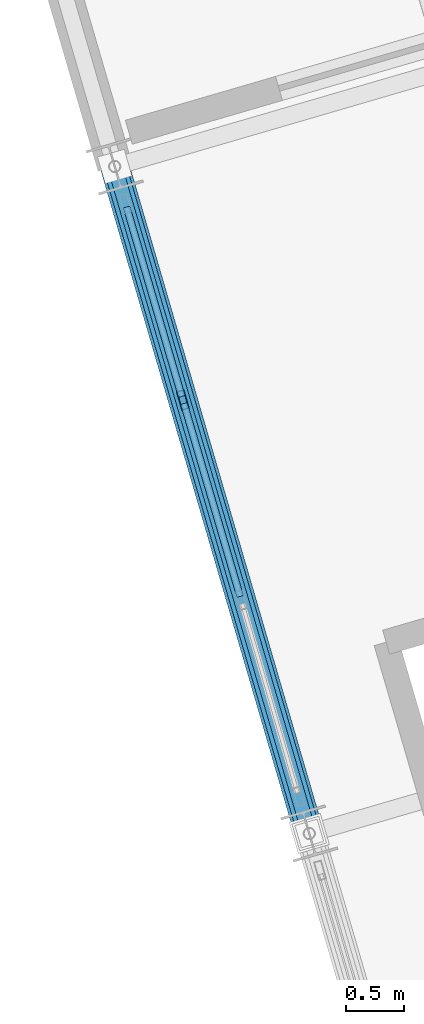
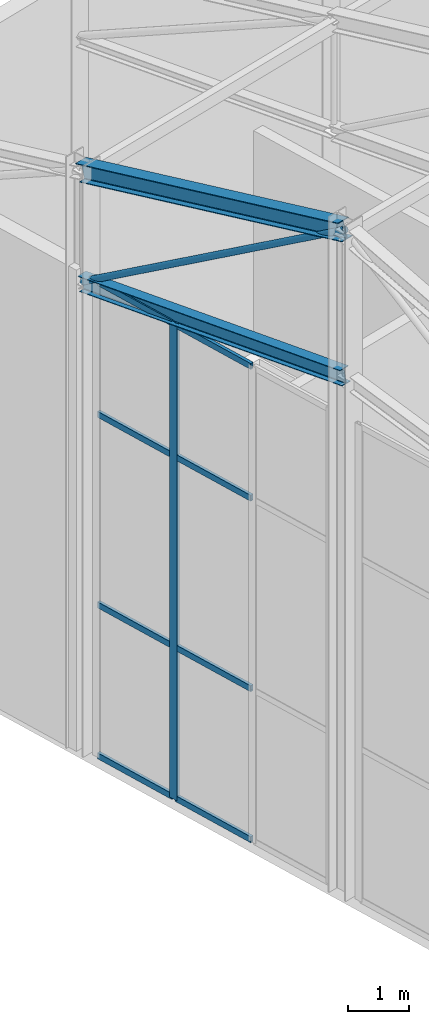
# One storey, part 141 of 248: 12 members, 1 element without a shape of its own.
"""IFC4 building model written with IfcOpenShell, lengths in metres."""

from ifc_helpers import new_model, si_unit, direction, frame, origin, origin_2d, place, context, subcontext, project, spatial, hollow_rectangle, hollow_circle, i_section, extrude, material, layer, layer_set, material_profile, profile_set, type_object, element, aggregate, save


model = new_model("IFC4")

# Units and contexts
model_context = context("Model", 3, precision=1e-05, world=origin(), true_north=direction((0.0, 1.0)))
body_context = subcontext(model_context, "Body", "Model", "MODEL_VIEW")
ifc_project = project(units=[si_unit("LENGTHUNIT", "METRE"), si_unit("AREAUNIT", "SQUARE_METRE"), si_unit("VOLUMEUNIT", "CUBIC_METRE"), si_unit("PLANEANGLEUNIT", "RADIAN"), si_unit("MASSUNIT", "GRAM", prefix="KILO")], contexts=[model_context])

# Site, building, storey
site_placement = place(None, origin())
site = spatial("IfcSite", under=ifc_project, at=site_placement, CompositionType="ELEMENT")
building_placement = place(site_placement, origin())
building = spatial("IfcBuilding", under=site, at=building_placement, Name="Canggui Botanical Conservatory", CompositionType="ELEMENT")
storey_placement = place(building_placement, frame((0.0, 0.0, 5.39990234375)))
storey = spatial("IfcBuildingStorey", under=building, at=storey_placement, Name="L02", CompositionType="ELEMENT", Elevation=5.39990234375)

# Curtain wall, members
ifc_material_1 = material(Name="Thermally Broken Aluminium", Category="aluminium")
ifc_layer = layer(ifc_material_1, 0.1650390625, Name="Thermally Broken Aluminium", Category="aluminium")
ifc_layer_set = layer_set([ifc_layer], Name="Thermally Broken Aluminium")
curtain_wall_type = type_object("IfcCurtainWallType", Name="CW-UNIT-B", PredefinedType="USERDEFINED", material=ifc_layer_set)
curtain_wall_placement = place(storey_placement, origin())
curtain_wall = element("IfcCurtainWall", 1, at=curtain_wall_placement, inside=storey, type_object=curtain_wall_type, Name="Facade Curtain Wall CW-AUD-FOYER-L02-2", ObjectType="UNITISED CURTAIN WALL", PredefinedType="USERDEFINED")
ifc_material_profile_1 = material_profile(ifc_material_1, hollow_rectangle(XDim=0.06494140625, YDim=0.1650390625, WallThickness=0.00390625, at=origin_2d()), Name="CWM 65x165x4")
ifc_profile_set_1 = profile_set([ifc_material_profile_1], Name="Thermally Broken Aluminium")
member_type_1 = type_object("IfcMemberType", Name="CWM-02", PredefinedType="MULLION", material=ifc_profile_set_1)
member_1_placement = place(storey_placement, frame((61.548095703125, 105.263916015625, 0.0), z_axis=(0.0, 0.0, 1.0), x_axis=(-0.960000000002, -0.279999999995, 0.0)))
member_1 = element("IfcMember", 2, at=member_1_placement, type_object=member_type_1, Name="CW-02 mullion 3", PredefinedType="MULLION", context=body_context, shape_type="SweptSolid", body=[
    extrude(hollow_rectangle(XDim=0.06494140625, YDim=0.1650390625, WallThickness=0.00390625, at=origin_2d()), origin(), (0.0, 0.0, 1.0), 9.60009765625),
])
ifc_material_profile_2 = material_profile(ifc_material_1, hollow_rectangle(XDim=0.06005859375, YDim=0.1201171875, WallThickness=0.00341796875, at=origin_2d()), Name="CWT 60x120x3.5")
ifc_profile_set_2 = profile_set([ifc_material_profile_2], Name="Thermally Broken Aluminium")
member_type_2 = type_object("IfcMemberType", Name="CWT-02", PredefinedType="USERDEFINED", material=ifc_profile_set_2)
member_2_placement = place(storey_placement, frame((62.04296875, 103.567138671875, 0.030029296875), z_axis=(-0.279994597085, 0.960001575834, 0.0), x_axis=(-0.960001575834, -0.279994597085, 0.0)))
member_2 = element("IfcMember", 3, at=member_2_placement, type_object=member_type_2, Name="CW-02 transom 2.1", ObjectType="TRANSOM", PredefinedType="USERDEFINED", context=body_context, shape_type="SweptSolid", body=[
    extrude(hollow_rectangle(XDim=0.06005859375, YDim=0.1201171875, WallThickness=0.00341796875, at=origin_2d()), origin(), (0.0, 0.0, 1.0), 1.735107421875),
])
member_3_placement = place(storey_placement, frame((62.04296875, 103.567138671875, 3.072021484375), z_axis=(-0.279994597085, 0.960001575834, 0.0), x_axis=(-0.960001575834, -0.279994597085, 0.0)))
member_3 = element("IfcMember", 4, at=member_3_placement, type_object=member_type_2, Name="CW-02 transom 2.2", ObjectType="TRANSOM", PredefinedType="USERDEFINED", context=body_context, shape_type="SweptSolid", body=[
    extrude(hollow_rectangle(XDim=0.06005859375, YDim=0.1201171875, WallThickness=0.00341796875, at=origin_2d()), origin(), (0.0, 0.0, 1.0), 1.735107421875),
])
member_4_placement = place(storey_placement, frame((62.04296875, 103.567138671875, 6.912109375), z_axis=(-0.279994597085, 0.960001575834, 0.0), x_axis=(-0.960001575834, -0.279994597085, 0.0)))
member_4 = element("IfcMember", 5, at=member_4_placement, type_object=member_type_2, Name="CW-02 transom 2.3", ObjectType="TRANSOM", PredefinedType="USERDEFINED", context=body_context, shape_type="SweptSolid", body=[
    extrude(hollow_rectangle(XDim=0.06005859375, YDim=0.1201171875, WallThickness=0.00341796875, at=origin_2d()), origin(), (0.0, 0.0, 1.0), 1.735107421875),
])
member_5_placement = place(storey_placement, frame((62.04296875, 103.567138671875, 9.570068359375), z_axis=(-0.279994597085, 0.960001575834, 0.0), x_axis=(-0.960001575834, -0.279994597085, 0.0)))
member_5 = element("IfcMember", 6, at=member_5_placement, type_object=member_type_2, Name="CW-02 transom 2.4", ObjectType="TRANSOM", PredefinedType="USERDEFINED", context=body_context, shape_type="SweptSolid", body=[
    extrude(hollow_rectangle(XDim=0.06005859375, YDim=0.1201171875, WallThickness=0.00341796875, at=origin_2d()), origin(), (0.0, 0.0, 1.0), 1.735107421875),
])
member_6_placement = place(storey_placement, frame((61.538818359375, 105.295166015625, 0.030029296875), z_axis=(-0.27990639063, 0.960027297781, 0.0), x_axis=(-0.960027297781, -0.27990639063, 0.0)))
member_6 = element("IfcMember", 7, at=member_6_placement, type_object=member_type_2, Name="CW-02 transom 3.1", ObjectType="TRANSOM", PredefinedType="USERDEFINED", context=body_context, shape_type="SweptSolid", body=[
    extrude(hollow_rectangle(XDim=0.06005859375, YDim=0.1201171875, WallThickness=0.00341796875, at=origin_2d()), origin(), (0.0, 0.0, 1.0), 1.70263671875),
])
member_7_placement = place(storey_placement, frame((61.538818359375, 105.295166015625, 3.072021484375), z_axis=(-0.27990639063, 0.960027297781, 0.0), x_axis=(-0.960027297781, -0.27990639063, 0.0)))
member_7 = element("IfcMember", 8, at=member_7_placement, type_object=member_type_2, Name="CW-02 transom 3.2", ObjectType="TRANSOM", PredefinedType="USERDEFINED", context=body_context, shape_type="SweptSolid", body=[
    extrude(hollow_rectangle(XDim=0.06005859375, YDim=0.1201171875, WallThickness=0.00341796875, at=origin_2d()), origin(), (0.0, 0.0, 1.0), 1.70263671875),
])
member_8_placement = place(storey_placement, frame((61.538818359375, 105.295166015625, 6.912109375), z_axis=(-0.27990639063, 0.960027297781, 0.0), x_axis=(-0.960027297781, -0.27990639063, 0.0)))
member_8 = element("IfcMember", 9, at=member_8_placement, type_object=member_type_2, Name="CW-02 transom 3.3", ObjectType="TRANSOM", PredefinedType="USERDEFINED", context=body_context, shape_type="SweptSolid", body=[
    extrude(hollow_rectangle(XDim=0.06005859375, YDim=0.1201171875, WallThickness=0.00341796875, at=origin_2d()), origin(), (0.0, 0.0, 1.0), 1.70263671875),
])
member_9_placement = place(storey_placement, frame((61.538818359375, 105.295166015625, 9.570068359375), z_axis=(-0.27990639063, 0.960027297781, 0.0), x_axis=(-0.960027297781, -0.27990639063, 0.0)))
member_9 = element("IfcMember", 10, at=member_9_placement, type_object=member_type_2, Name="CW-02 transom 3.4", ObjectType="TRANSOM", PredefinedType="USERDEFINED", context=body_context, shape_type="SweptSolid", body=[
    extrude(hollow_rectangle(XDim=0.06005859375, YDim=0.1201171875, WallThickness=0.00341796875, at=origin_2d()), origin(), (0.0, 0.0, 1.0), 1.70263671875),
])
aggregate(curtain_wall, [member_1, member_2, member_3, member_4, member_5, member_6, member_7, member_8, member_9])

# Members
ifc_material_2 = material(Name="Steel Q355B", Category="steel")
ifc_material_profile_3 = material_profile(ifc_material_2, i_section(OverallWidth=0.25, OverallDepth=0.35009765625, WebThickness=0.009033203125, FlangeThickness=0.013916015625, FilletRadius=0.02001953125, at=origin_2d()), Name="HM 350x250x9x14")
ifc_profile_set_3 = profile_set([ifc_material_profile_3], Name="Steel Q355B")
member_type_3 = type_object("IfcMemberType", Name="MEM-TC03", PredefinedType="CHORD", material=ifc_profile_set_3)
member_10_placement = place(storey_placement, frame((62.639892578125, 101.52001953125, 13.35009765625), z_axis=(-0.269385502469, 0.923646586216, -0.272595735168), x_axis=(-0.960003190047, -0.279989062464, 0.0)))
element("IfcMember", 11, at=member_10_placement, inside=storey, type_object=member_type_3, Name="Auditorium Truss AT-01 Top Chord 3", PredefinedType="CHORD", context=body_context, shape_type="SweptSolid", body=[
    extrude(i_section(OverallWidth=0.25, OverallDepth=0.35009765625, WebThickness=0.009033203125, FlangeThickness=0.013916015625, FilletRadius=0.02001953125, at=origin_2d()), origin(), (0.0, 0.0, 1.0), 6.236083984375),
])
ifc_material_profile_4 = material_profile(ifc_material_2, i_section(OverallWidth=0.199951171875, OverallDepth=0.300048828125, WebThickness=0.008056640625, FlangeThickness=0.011962890625, FilletRadius=0.01806640625, at=origin_2d()), Name="HM 300x200x8x12")
ifc_profile_set_4 = profile_set([ifc_material_profile_4], Name="Steel Q355B")
member_type_4 = type_object("IfcMemberType", Name="MEM-TC04", PredefinedType="CHORD", material=ifc_profile_set_4)
member_11_placement = place(storey_placement, frame((62.639892578125, 101.52001953125, 10.400146484375), z_axis=(-0.276179497805, 0.946941271868, -0.16439924764), x_axis=(-0.960003190047, -0.279989062464, 0.0)))
element("IfcMember", 12, at=member_11_placement, inside=storey, type_object=member_type_4, Name="Auditorium Truss AT-01 Bottom Chord 3", PredefinedType="CHORD", context=body_context, shape_type="SweptSolid", body=[
    extrude(i_section(OverallWidth=0.199951171875, OverallDepth=0.300048828125, WebThickness=0.008056640625, FlangeThickness=0.011962890625, FilletRadius=0.01806640625, at=origin_2d()), origin(), (0.0, 0.0, 1.0), 6.082763671875),
])
ifc_material_profile_5 = material_profile(ifc_material_2, hollow_circle(Radius=0.0634765625, WallThickness=0.006103515625, at=origin_2d()), Name="CHS 127x6")
ifc_profile_set_5 = profile_set([ifc_material_profile_5], Name="Steel Q355B")
member_type_5 = type_object("IfcMemberType", Name="MEM-TW02", PredefinedType="BRACE", material=ifc_profile_set_5)
member_12_placement = place(storey_placement, frame((60.9599609375, 107.280029296875, 9.400146484375), z_axis=(0.233861297543, -0.801844149531, 0.54986803269), x_axis=(0.960003190047, 0.279989062464, 0.0)))
element("IfcMember", 13, at=member_12_placement, inside=storey, type_object=member_type_5, Name="Auditorium Truss AT-01 Web Diagonal 3", PredefinedType="BRACE", context=body_context, shape_type="SweptSolid", body=[
    extrude(hollow_circle(Radius=0.0634765625, WallThickness=0.006103515625, at=origin_2d()), origin(), (0.0, 0.0, 1.0), 7.183349609375),
])

save(model, "model.ifc")
